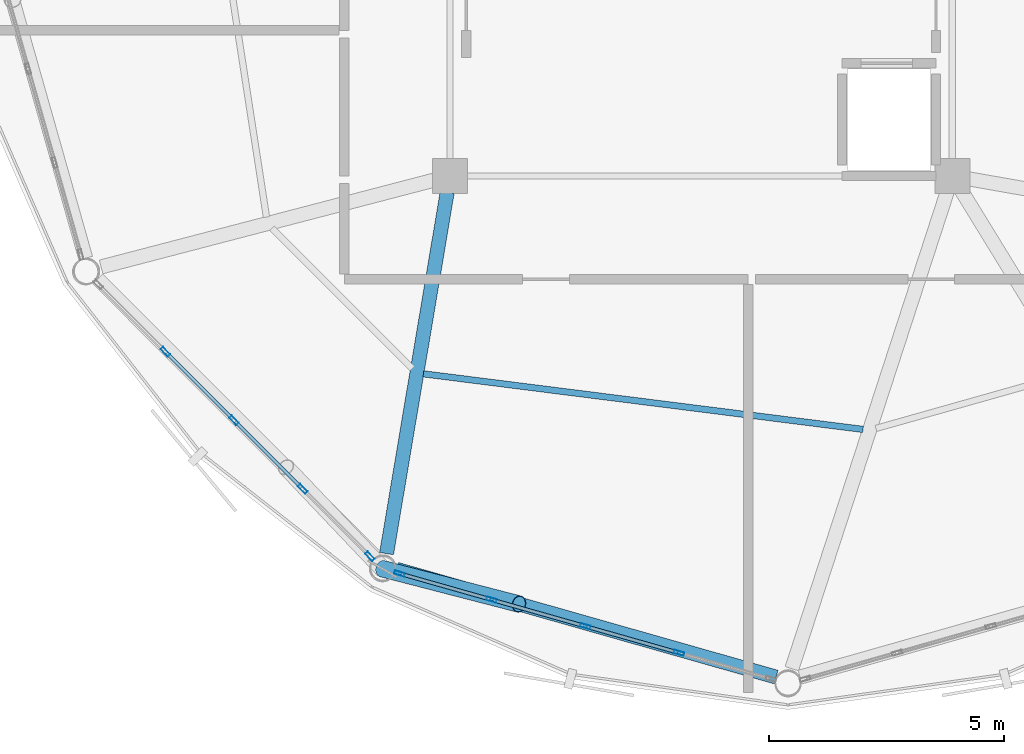
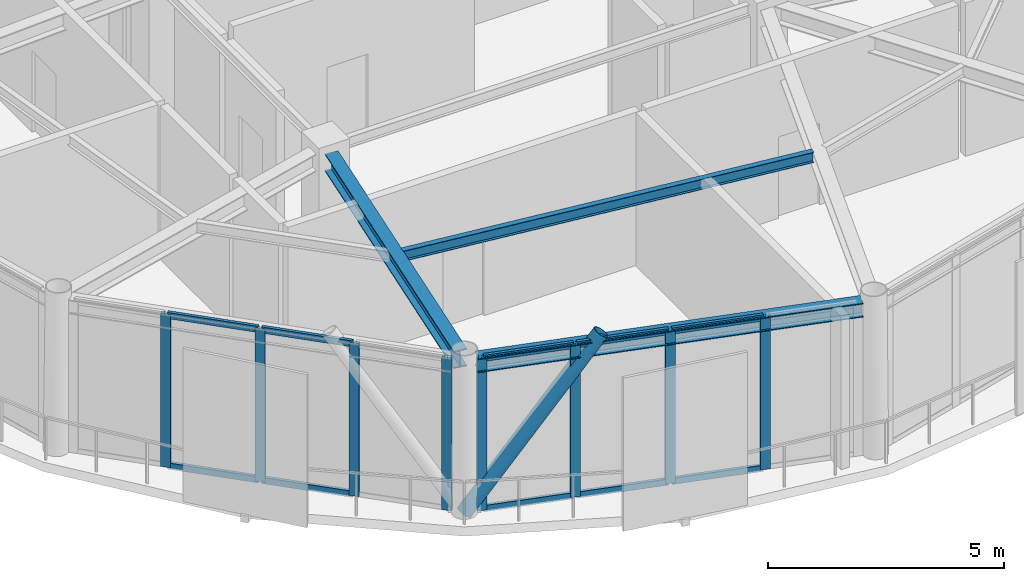
# One storey, part 2 of 20: 19 members, 3 beams, 2 elements without a shape of their own.
"""IFC4 building model written with IfcOpenShell, lengths in metres."""

import ifcopenshell
import ifcopenshell.guid

model = None  # the IFC model being written
_history = None  # IfcOwnerHistory: only IFC2X3 demands one
_inside = {}  # id of a spatial element -> (the spatial element, [elements in it])
_under = {}  # id of a project, library or spatial element -> (it, [spatial elements below it])
_declared = {}  # id of a project -> (the project, [libraries it declares])
_typed = {}  # id of a type object -> (the type object, [elements of that type])
_made_of = {}  # id of a material, layer set ... -> (it, [elements and type objects made of it])


def new_model(schema):
    """Start an empty IFC model of exactly this schema.

    Asked for "IFC4X3", IfcOpenShell would pick the latest addendum, in which some entities
    have other attributes; the version numbers below select the first issue.
    IFC2X3 requires an IfcOwnerHistory on every rooted entity: one is made here for all.
    """
    global model, _history
    if schema == "IFC4X3":
        model = ifcopenshell.file(schema_version=(4, 3, 0, 0))
    else:
        model = ifcopenshell.file(schema=schema)
    _inside.clear()
    _under.clear()
    _declared.clear()
    _typed.clear()
    _made_of.clear()
    _history = None
    if model.schema == "IFC2X3":
        org = make("IfcOrganization", Name="unknown")
        user = make(
            "IfcPersonAndOrganization",
            ThePerson=make("IfcPerson", FamilyName="unknown"),
            TheOrganization=org,
        )
        app = make(
            "IfcApplication",
            ApplicationDeveloper=org,
            Version="unknown",
            ApplicationFullName="unknown",
            ApplicationIdentifier="unknown",
        )
        _history = make(
            "IfcOwnerHistory",
            OwningUser=user,
            OwningApplication=app,
            ChangeAction="ADDED",
            CreationDate=0,
        )
    return model


def make(cls, **values):
    """One entity of the class cls with the attributes given. An attribute that is None is left unset."""
    return model.create_entity(
        cls, **{name: value for name, value in values.items() if value is not None}
    )


def rooted(cls, **values):
    """An entity with a GlobalId (a new one), such as an element, a storey or a relation."""
    return make(cls, GlobalId=ifcopenshell.guid.new(), OwnerHistory=_history, **values)


def si_unit(unit_type, name, prefix=None):
    """IfcSIUnit, for example si_unit("LENGTHUNIT", "METRE", prefix="MILLI")."""
    return make("IfcSIUnit", UnitType=unit_type, Prefix=prefix, Name=name)


def assignment(units):
    """IfcUnitAssignment: the units of a project."""
    return None if units is None else make("IfcUnitAssignment", Units=units)


def point(xyz):
    """IfcCartesianPoint."""
    return None if xyz is None else make("IfcCartesianPoint", Coordinates=xyz)


def direction(xyz):
    """IfcDirection."""
    return None if xyz is None else make("IfcDirection", DirectionRatios=xyz)


def frame(location, z_axis=None, x_axis=None):
    """IfcAxis2Placement3D, a coordinate frame: its origin and axes. An axis left out is left unset."""
    return make(
        "IfcAxis2Placement3D",
        Location=point(location),
        Axis=direction(z_axis),
        RefDirection=direction(x_axis),
    )


def frame_2d(location, x_axis=None):
    """IfcAxis2Placement2D, a coordinate frame in the plane: its origin and x axis."""
    return make(
        "IfcAxis2Placement2D", Location=point(location), RefDirection=direction(x_axis)
    )


def origin():
    """The frame at (0, 0, 0) with its axes left unset."""
    return frame((0.0, 0.0, 0.0))


def origin_2d():
    """The frame at (0, 0) in the plane with its x axis left unset."""
    return frame_2d((0.0, 0.0))


def place(relative_to, where):
    """IfcLocalPlacement: puts the frame where relative to a parent placement (None: the world)."""
    return make(
        "IfcLocalPlacement", PlacementRelTo=relative_to, RelativePlacement=where
    )


def context(
    kind, dimensions, precision=None, world=None, true_north=None, identifier=None
):
    """IfcGeometricRepresentationContext, for example the 3D "Model" context."""
    return make(
        "IfcGeometricRepresentationContext",
        ContextIdentifier=identifier,
        ContextType=kind,
        CoordinateSpaceDimension=dimensions,
        Precision=precision,
        WorldCoordinateSystem=world,
        TrueNorth=true_north,
    )


def subcontext(parent, identifier, kind, view, scale=None):
    """IfcGeometricRepresentationSubContext, for example "Body" below "Model"."""
    return make(
        "IfcGeometricRepresentationSubContext",
        ContextIdentifier=identifier,
        ContextType=kind,
        ParentContext=parent,
        TargetScale=scale,
        TargetView=view,
    )


def project(units=None, contexts=None):
    """IfcProject with its units and contexts."""
    return rooted(
        "IfcProject",
        Name="project",
        RepresentationContexts=contexts,
        UnitsInContext=assignment(units),
    )


def spatial(cls, under=None, at=None, **own):
    """A site, building, storey or space (cls), placed at a placement, below another one or the project."""
    s = rooted(cls, ObjectPlacement=at, **own)
    if under is not None:
        _under.setdefault(under.id(), (under, []))[1].append(s)
    return s


def profile(cls, at=None, kind="AREA", **sizes):
    """A parametric profile (cls). Its sizes go by their IFC names, for example OverallWidth=200.0."""
    return make(cls, ProfileType=kind, Position=at, **sizes)


def hollow_rectangle(**sizes):
    """IfcRectangleHollowProfileDef."""
    return profile("IfcRectangleHollowProfileDef", **sizes)


def hollow_circle(**sizes):
    """IfcCircleHollowProfileDef."""
    return profile("IfcCircleHollowProfileDef", **sizes)


def i_section(**sizes):
    """IfcIShapeProfileDef."""
    return profile("IfcIShapeProfileDef", **sizes)


def extrude(swept, where, along, depth):
    """IfcExtrudedAreaSolid: the profile swept, set in the frame where, extruded along a direction by depth."""
    return make(
        "IfcExtrudedAreaSolid",
        SweptArea=swept,
        Position=where,
        ExtrudedDirection=direction(along),
        Depth=depth,
    )


def shape(context_of_items, identifier, shape_type, items):
    """IfcShapeRepresentation: the items that make up one representation, for example the "Body"."""
    return make(
        "IfcShapeRepresentation",
        ContextOfItems=context_of_items,
        RepresentationIdentifier=identifier,
        RepresentationType=shape_type,
        Items=items,
    )


def material(Name=None, Category=None):
    """IfcMaterial."""
    return make("IfcMaterial", Name=Name, Category=Category)


def layer(
    of_material, thickness, ventilated=None, Name=None, Category=None, Priority=None
):
    """IfcMaterialLayer: one layer of a wall or slab, of a material (None: an air gap)."""
    return make(
        "IfcMaterialLayer",
        Material=of_material,
        LayerThickness=thickness,
        IsVentilated=ventilated,
        Name=Name,
        Category=Category,
        Priority=Priority,
    )


def layer_set(layers, Name=None):
    """IfcMaterialLayerSet."""
    return make("IfcMaterialLayerSet", MaterialLayers=layers, LayerSetName=Name)


def material_profile(
    of_material, cross_section, Name=None, Category=None, Priority=None
):
    """IfcMaterialProfile: a cross section and its material."""
    return make(
        "IfcMaterialProfile",
        Name=Name,
        Material=of_material,
        Profile=cross_section,
        Priority=Priority,
        Category=Category,
    )


def profile_set(profiles, Name=None, composite=None):
    """IfcMaterialProfileSet."""
    return make(
        "IfcMaterialProfileSet",
        Name=Name,
        MaterialProfiles=profiles,
        CompositeProfile=composite,
    )


def made_of(thing, what):
    """Note that an element or type object is made of a material, layer set ...; save() writes the relation."""
    if what is not None:
        _made_of.setdefault(what.id(), (what, []))[1].append(thing)
    return thing


def type_object(cls, material=None, **own):
    """A type object (cls), such as IfcWallType, which elements share."""
    return made_of(rooted(cls, **own), material)


def element(
    cls,
    number,
    at=None,
    inside=None,
    cuts=None,
    type_object=None,
    material=None,
    context=None,
    identifier="Body",
    shape_type=None,
    held_by="IfcProductDefinitionShape",
    body=None,
    shapes=None,
    **own,
):
    """One element of the class cls, such as IfcWall. Its Tag is "e" and its number.

    at: its placement. inside: the storey or other place that contains it. cuts: it is an
    opening in that element (IfcRelVoidsElement). A single representation is given by context,
    identifier, shape_type and body (its items); several are given by shapes. held_by: the class
    of the entity that holds the representations. save() writes the other relations.
    """
    e = rooted(cls, Tag="e%d" % number, ObjectPlacement=at, **own)
    if body is not None:
        shapes = [shape(context, identifier, shape_type, body)]
    if shapes is not None:
        e.Representation = make(held_by, Representations=shapes)
    if inside is not None:
        _inside.setdefault(inside.id(), (inside, []))[1].append(e)
    if cuts is not None:
        rooted(
            "IfcRelVoidsElement", RelatingBuildingElement=cuts, RelatedOpeningElement=e
        )
    if type_object is not None:
        _typed.setdefault(type_object.id(), (type_object, []))[1].append(e)
    return made_of(e, material)


def aggregate(whole, parts):
    """IfcRelAggregates: a whole, such as a stair, and the parts it consists of."""
    return rooted("IfcRelAggregates", RelatingObject=whole, RelatedObjects=parts)


def save(model, path):
    """Write the relations noted so far, then the file.

    IfcRelAggregates (storeys below a building ...), IfcRelContainedInSpatialStructure (elements
    in a storey), IfcRelDefinesByType, IfcRelAssociatesMaterial and IfcRelDeclares: one each for
    every whole, place, type object, material and project.
    """
    for whole, parts in _under.values():
        aggregate(whole, parts)
    for where, things in _inside.values():
        rooted(
            "IfcRelContainedInSpatialStructure",
            RelatedElements=things,
            RelatingStructure=where,
        )
    for kind, things in _typed.values():
        rooted("IfcRelDefinesByType", RelatedObjects=things, RelatingType=kind)
    for what, things in _made_of.values():
        rooted("IfcRelAssociatesMaterial", RelatedObjects=things, RelatingMaterial=what)
    for by, libraries in _declared.values():
        rooted("IfcRelDeclares", RelatingContext=by, RelatedDefinitions=libraries)
    model.write(path)


model = new_model("IFC4")

# Units and contexts
model_context = context("Model", 3, precision=1e-05, world=origin(), true_north=direction((0.0, 1.0)))
body_context = subcontext(model_context, "Body", "Model", "MODEL_VIEW")
ifc_project = project(units=[si_unit("LENGTHUNIT", "METRE"), si_unit("AREAUNIT", "SQUARE_METRE"), si_unit("VOLUMEUNIT", "CUBIC_METRE"), si_unit("PLANEANGLEUNIT", "RADIAN"), si_unit("MASSUNIT", "GRAM", prefix="KILO")], contexts=[model_context])

# Site, building, storey
site_placement = place(None, origin())
site = spatial("IfcSite", under=ifc_project, at=site_placement, CompositionType="ELEMENT")
building_placement = place(site_placement, origin())
building = spatial("IfcBuilding", under=site, at=building_placement, Name="Varnakorn Sky Granary", CompositionType="ELEMENT")
storey_placement = place(building_placement, frame((0.0, 0.0, 306.60009765625)))
storey = spatial("IfcBuildingStorey", under=building, at=storey_placement, Name="L78", CompositionType="ELEMENT", Elevation=306.60009765625)

# Beams
ifc_material_1 = material(Name="Steel S355JR", Category="steel")
ifc_material_profile_1 = material_profile(ifc_material_1, i_section(OverallWidth=0.300048828125, OverallDepth=0.449951171875, WebThickness=0.013916015625, FlangeThickness=0.02587890625, at=origin_2d()), Name="HE 450 B")
ifc_profile_set_1 = profile_set([ifc_material_profile_1], Name="Steel S355JR")
beam_type_1 = type_object("IfcBeamType", Name="BM-RAD-Z5", PredefinedType="BEAM", material=ifc_profile_set_1)
beam_1_placement = place(storey_placement, frame((-2.40869140625, -6.9501953125, 3.73486328125), z_axis=(-0.165475084133, -0.986213970967, 0.0), x_axis=(0.986213970967, -0.165475084133, 0.0)))
element("IfcBeam", 1, at=beam_1_placement, inside=storey, type_object=beam_type_1, Name="Radial Floor Girder RG09 L78", PredefinedType="BEAM", context=body_context, shape_type="SweptSolid", body=[
    extrude(i_section(OverallWidth=0.300048828125, OverallDepth=0.449951171875, WebThickness=0.013916015625, FlangeThickness=0.02587890625, at=origin_2d()), origin(), (0.0, 0.0, 1.0), 7.798828125),
])
ifc_material_profile_2 = material_profile(ifc_material_1, i_section(OverallWidth=0.135009765625, OverallDepth=0.27001953125, WebThickness=0.006591796875, FlangeThickness=0.01025390625, at=origin_2d()), Name="IPE 270")
ifc_profile_set_2 = profile_set([ifc_material_profile_2], Name="Steel S355JR")
beam_type_2 = type_object("IfcBeamType", Name="BM-SEC-Z5", PredefinedType="BEAM", material=ifc_profile_set_2)
beam_2_placement = place(storey_placement, frame((-2.9150390625, -10.8134765625, 3.824951171875), z_axis=(0.992106182505, -0.125400648463, 0.0), x_axis=(0.125400648463, 0.992106182505, 0.0)))
element("IfcBeam", 2, at=beam_2_placement, inside=storey, type_object=beam_type_2, Name="Secondary Floor Chord Beam MSB09 L78", PredefinedType="BEAM", context=body_context, shape_type="SweptSolid", body=[
    extrude(i_section(OverallWidth=0.135009765625, OverallDepth=0.27001953125, WebThickness=0.006591796875, FlangeThickness=0.01025390625, at=origin_2d()), origin(), (0.0, 0.0, 1.0), 9.4365234375),
])
ifc_material_profile_3 = material_profile(ifc_material_1, i_section(OverallWidth=0.300048828125, OverallDepth=0.360107421875, WebThickness=0.012451171875, FlangeThickness=0.0224609375, at=origin_2d()), Name="HE 360 B")
ifc_profile_set_3 = profile_set([ifc_material_profile_3], Name="Steel S355JR")
beam_type_3 = type_object("IfcBeamType", Name="BM-SPD-Z5", PredefinedType="SPANDREL", material=ifc_profile_set_3)
beam_3_placement = place(storey_placement, frame((-3.488525390625, -14.974853515625, 3.77978515625), z_axis=(0.961959045072, -0.273193696127, 0.0), x_axis=(0.273193696127, 0.961959045072, 0.0)))
element("IfcBeam", 3, at=beam_3_placement, inside=storey, type_object=beam_type_3, Name="Perimeter Spandrel Ring Beam RB09 L78", PredefinedType="SPANDREL", context=body_context, shape_type="SweptSolid", body=[
    extrude(i_section(OverallWidth=0.300048828125, OverallDepth=0.360107421875, WebThickness=0.012451171875, FlangeThickness=0.0224609375, at=origin_2d()), origin(), (0.0, 0.0, 1.0), 8.40380859375),
])

# Curtain wall, members
ifc_material_2 = material(Name="Anodised Bronze Aluminium Alloy 6063-T6", Category="aluminium")
ifc_layer = layer(ifc_material_2, 0.22998046875, Name="Anodised Bronze Aluminium Alloy 6063-T6")
ifc_layer_set = layer_set([ifc_layer], Name="Anodised Bronze Aluminium Alloy 6063-T6")
curtain_wall_type = type_object("IfcCurtainWallType", Name="CW-LNT-1", PredefinedType="USERDEFINED", material=ifc_layer_set)
curtain_wall_1_placement = place(storey_placement, origin())
curtain_wall_1 = element("IfcCurtainWall", 4, at=curtain_wall_1_placement, inside=storey, type_object=curtain_wall_type, Name="Unitised Curtain Wall CW7 CW-L78-B08", ObjectType="CURTAIN WALL", PredefinedType="USERDEFINED")
ifc_material_profile_4 = material_profile(ifc_material_2, hollow_rectangle(XDim=0.074951171875, YDim=0.219970703125, WallThickness=0.00390625, at=origin_2d()), Name="ALU MULL 75x220")
ifc_profile_set_4 = profile_set([ifc_material_profile_4], Name="Anodised Bronze Aluminium Alloy 6063-T6")
member_type_1 = type_object("IfcMemberType", Name="CW-LNT-1-MULL", PredefinedType="MULLION", material=ifc_profile_set_4)
member_1_placement = place(storey_placement, frame((-4.052490234375, -14.697509765625, 0.0), z_axis=(0.0, 0.0, 1.0), x_axis=(-0.707251982619, -0.706961549932, 0.0)))
member_1 = element("IfcMember", 5, at=member_1_placement, type_object=member_type_1, Name="CW7 mullion 1", PredefinedType="MULLION", context=body_context, shape_type="SweptSolid", body=[
    extrude(hollow_rectangle(XDim=0.074951171875, YDim=0.219970703125, WallThickness=0.00390625, at=origin_2d()), origin(), (0.0, 0.0, 1.0), 3.9599609375),
])
member_2_placement = place(storey_placement, frame((-5.486572265625, -13.262939453125, 0.0), z_axis=(0.0, 0.0, 1.0), x_axis=(-0.707251982619, -0.706961549932, 0.0)))
member_2 = element("IfcMember", 6, at=member_2_placement, type_object=member_type_1, Name="CW7 mullion 2", PredefinedType="MULLION", context=body_context, shape_type="SweptSolid", body=[
    extrude(hollow_rectangle(XDim=0.074951171875, YDim=0.219970703125, WallThickness=0.00390625, at=origin_2d()), origin(), (0.0, 0.0, 1.0), 3.9599609375),
])
member_3_placement = place(storey_placement, frame((-6.947021484375, -11.8017578125, 0.0), z_axis=(0.0, 0.0, 1.0), x_axis=(-0.707251982619, -0.706961549932, 0.0)))
member_3 = element("IfcMember", 7, at=member_3_placement, type_object=member_type_1, Name="CW7 mullion 3", PredefinedType="MULLION", context=body_context, shape_type="SweptSolid", body=[
    extrude(hollow_rectangle(XDim=0.074951171875, YDim=0.219970703125, WallThickness=0.00390625, at=origin_2d()), origin(), (0.0, 0.0, 1.0), 3.9599609375),
])
member_4_placement = place(storey_placement, frame((-8.407470703125, -10.3408203125, 0.0), z_axis=(0.0, 0.0, 1.0), x_axis=(-0.707251982619, -0.706961549932, 0.0)))
member_4 = element("IfcMember", 8, at=member_4_placement, type_object=member_type_1, Name="CW7 mullion 4", PredefinedType="MULLION", context=body_context, shape_type="SweptSolid", body=[
    extrude(hollow_rectangle(XDim=0.074951171875, YDim=0.219970703125, WallThickness=0.00390625, at=origin_2d()), origin(), (0.0, 0.0, 1.0), 3.9599609375),
])

curtain_wall_2_placement = place(storey_placement, origin())
curtain_wall_2 = element("IfcCurtainWall", 9, at=curtain_wall_2_placement, inside=storey, type_object=curtain_wall_type, Name="Unitised Curtain Wall CW7 CW-L78-B09", ObjectType="CURTAIN WALL", PredefinedType="USERDEFINED")
member_5_placement = place(storey_placement, frame((2.527587890625, -16.755126953125, 0.0), z_axis=(0.0, 0.0, 1.0), x_axis=(-0.272904510897, -0.962041125905, 0.0)))
member_5 = element("IfcMember", 10, at=member_5_placement, type_object=member_type_1, Name="CW7 mullion 2", PredefinedType="MULLION", context=body_context, shape_type="SweptSolid", body=[
    extrude(hollow_rectangle(XDim=0.074951171875, YDim=0.219970703125, WallThickness=0.00390625, at=origin_2d()), origin(), (0.0, 0.0, 1.0), 3.9599609375),
])
member_6_placement = place(storey_placement, frame((0.531982421875, -16.18896484375, 0.0), z_axis=(0.0, 0.0, 1.0), x_axis=(-0.272904510897, -0.962041125905, 0.0)))
member_6 = element("IfcMember", 11, at=member_6_placement, type_object=member_type_1, Name="CW7 mullion 3", PredefinedType="MULLION", context=body_context, shape_type="SweptSolid", body=[
    extrude(hollow_rectangle(XDim=0.074951171875, YDim=0.219970703125, WallThickness=0.00390625, at=origin_2d()), origin(), (0.0, 0.0, 1.0), 3.9599609375),
])
member_7_placement = place(storey_placement, frame((-1.463623046875, -15.623046875, 0.0), z_axis=(0.0, 0.0, 1.0), x_axis=(-0.272904510897, -0.962041125905, 0.0)))
member_7 = element("IfcMember", 12, at=member_7_placement, type_object=member_type_1, Name="CW7 mullion 4", PredefinedType="MULLION", context=body_context, shape_type="SweptSolid", body=[
    extrude(hollow_rectangle(XDim=0.074951171875, YDim=0.219970703125, WallThickness=0.00390625, at=origin_2d()), origin(), (0.0, 0.0, 1.0), 3.9599609375),
])
member_8_placement = place(storey_placement, frame((-3.42333984375, -15.067138671875, 0.0), z_axis=(0.0, 0.0, 1.0), x_axis=(-0.272904510897, -0.962041125905, 0.0)))
member_8 = element("IfcMember", 13, at=member_8_placement, type_object=member_type_1, Name="CW7 mullion 5", PredefinedType="MULLION", context=body_context, shape_type="SweptSolid", body=[
    extrude(hollow_rectangle(XDim=0.074951171875, YDim=0.219970703125, WallThickness=0.00390625, at=origin_2d()), origin(), (0.0, 0.0, 1.0), 3.9599609375),
])

# Member
ifc_material_profile_5 = material_profile(ifc_material_2, hollow_rectangle(XDim=0.074951171875, YDim=0.159912109375, WallThickness=0.00390625, at=origin_2d()), Name="ALU TRAN 75x160")
ifc_profile_set_5 = profile_set([ifc_material_profile_5], Name="Anodised Bronze Aluminium Alloy 6063-T6")
member_type_2 = type_object("IfcMemberType", Name="CW-LNT-1-TRAN", PredefinedType="USERDEFINED", material=ifc_profile_set_5)
member_9_placement = place(storey_placement, frame((-5.512939453125, -13.236328125, 0.037353515625), z_axis=(-0.706984136704, 0.707229404401, 0.0), x_axis=(-0.707229404401, -0.706984136704, 0.0)))
member_9 = element("IfcMember", 14, at=member_9_placement, type_object=member_type_2, Name="CW7 transom 2.1", ObjectType="TRANSOM", PredefinedType="USERDEFINED", context=body_context, shape_type="SweptSolid", body=[
    extrude(hollow_rectangle(XDim=0.074951171875, YDim=0.159912109375, WallThickness=0.00390625, at=origin_2d()), origin(), (0.0, 0.0, 1.0), 1.99072265625),
])

member_10_placement = place(storey_placement, frame((-5.512939453125, -13.236328125, 3.92236328125), z_axis=(-0.706984136704, 0.707229404401, 0.0), x_axis=(-0.707229404401, -0.706984136704, 0.0)))
member_10 = element("IfcMember", 15, at=member_10_placement, type_object=member_type_2, Name="CW7 transom 2.2", ObjectType="TRANSOM", PredefinedType="USERDEFINED", context=body_context, shape_type="SweptSolid", body=[
    extrude(hollow_rectangle(XDim=0.074951171875, YDim=0.159912109375, WallThickness=0.00390625, at=origin_2d()), origin(), (0.0, 0.0, 1.0), 1.99072265625),
])

member_11_placement = place(storey_placement, frame((-6.9736328125, -11.775390625, 0.037353515625), z_axis=(-0.706922822444, 0.707290692083, 0.0), x_axis=(-0.707290692083, -0.706922822444, 0.0)))
member_11 = element("IfcMember", 16, at=member_11_placement, type_object=member_type_2, Name="CW7 transom 3.1", ObjectType="TRANSOM", PredefinedType="USERDEFINED", context=body_context, shape_type="SweptSolid", body=[
    extrude(hollow_rectangle(XDim=0.074951171875, YDim=0.159912109375, WallThickness=0.00390625, at=origin_2d()), origin(), (0.0, 0.0, 1.0), 1.990966796875),
])

member_12_placement = place(storey_placement, frame((-6.9736328125, -11.775390625, 3.92236328125), z_axis=(-0.706922822444, 0.707290692083, 0.0), x_axis=(-0.707290692083, -0.706922822444, 0.0)))
member_12 = element("IfcMember", 17, at=member_12_placement, type_object=member_type_2, Name="CW7 transom 3.2", ObjectType="TRANSOM", PredefinedType="USERDEFINED", context=body_context, shape_type="SweptSolid", body=[
    extrude(hollow_rectangle(XDim=0.074951171875, YDim=0.159912109375, WallThickness=0.00390625, at=origin_2d()), origin(), (0.0, 0.0, 1.0), 1.990966796875),
])

aggregate(curtain_wall_1, [member_1, member_2, member_3, member_4, member_9, member_10, member_11, member_12])

member_13_placement = place(storey_placement, frame((2.49169921875, -16.744873046875, 0.037353515625), z_axis=(-0.962042882798, 0.272898317433, 0.0), x_axis=(-0.272898317433, -0.962042882798, 0.0)))
member_13 = element("IfcMember", 18, at=member_13_placement, type_object=member_type_2, Name="CW7 transom 2.1", ObjectType="TRANSOM", PredefinedType="USERDEFINED", context=body_context, shape_type="SweptSolid", body=[
    extrude(hollow_rectangle(XDim=0.074951171875, YDim=0.159912109375, WallThickness=0.00390625, at=origin_2d()), origin(), (0.0, 0.0, 1.0), 1.99951171875),
])

member_14_placement = place(storey_placement, frame((2.49169921875, -16.744873046875, 3.92236328125), z_axis=(-0.962042882798, 0.272898317433, 0.0), x_axis=(-0.272898317433, -0.962042882798, 0.0)))
member_14 = element("IfcMember", 19, at=member_14_placement, type_object=member_type_2, Name="CW7 transom 2.2", ObjectType="TRANSOM", PredefinedType="USERDEFINED", context=body_context, shape_type="SweptSolid", body=[
    extrude(hollow_rectangle(XDim=0.074951171875, YDim=0.159912109375, WallThickness=0.00390625, at=origin_2d()), origin(), (0.0, 0.0, 1.0), 1.99951171875),
])

member_15_placement = place(storey_placement, frame((0.495849609375, -16.1787109375, 0.037353515625), z_axis=(-0.962042882798, 0.272898317433, 0.0), x_axis=(-0.272898317433, -0.962042882798, 0.0)))
member_15 = element("IfcMember", 20, at=member_15_placement, type_object=member_type_2, Name="CW7 transom 3.1", ObjectType="TRANSOM", PredefinedType="USERDEFINED", context=body_context, shape_type="SweptSolid", body=[
    extrude(hollow_rectangle(XDim=0.074951171875, YDim=0.159912109375, WallThickness=0.00390625, at=origin_2d()), origin(), (0.0, 0.0, 1.0), 1.99951171875),
])

member_16_placement = place(storey_placement, frame((0.495849609375, -16.1787109375, 3.92236328125), z_axis=(-0.962042882798, 0.272898317433, 0.0), x_axis=(-0.272898317433, -0.962042882798, 0.0)))
member_16 = element("IfcMember", 21, at=member_16_placement, type_object=member_type_2, Name="CW7 transom 3.2", ObjectType="TRANSOM", PredefinedType="USERDEFINED", context=body_context, shape_type="SweptSolid", body=[
    extrude(hollow_rectangle(XDim=0.074951171875, YDim=0.159912109375, WallThickness=0.00390625, at=origin_2d()), origin(), (0.0, 0.0, 1.0), 1.99951171875),
])

member_17_placement = place(storey_placement, frame((-1.499755859375, -15.61279296875, 0.037353515625), z_axis=(-0.962010779064, 0.273011466727, 0.0), x_axis=(-0.273011466727, -0.962010779064, 0.0)))
member_17 = element("IfcMember", 22, at=member_17_placement, type_object=member_type_2, Name="CW7 transom 4.1", ObjectType="TRANSOM", PredefinedType="USERDEFINED", context=body_context, shape_type="SweptSolid", body=[
    extrude(hollow_rectangle(XDim=0.074951171875, YDim=0.159912109375, WallThickness=0.00390625, at=origin_2d()), origin(), (0.0, 0.0, 1.0), 1.9619140625),
])

member_18_placement = place(storey_placement, frame((-1.499755859375, -15.61279296875, 3.92236328125), z_axis=(-0.962010779064, 0.273011466727, 0.0), x_axis=(-0.273011466727, -0.962010779064, 0.0)))
member_18 = element("IfcMember", 23, at=member_18_placement, type_object=member_type_2, Name="CW7 transom 4.2", ObjectType="TRANSOM", PredefinedType="USERDEFINED", context=body_context, shape_type="SweptSolid", body=[
    extrude(hollow_rectangle(XDim=0.074951171875, YDim=0.159912109375, WallThickness=0.00390625, at=origin_2d()), origin(), (0.0, 0.0, 1.0), 1.9619140625),
])

aggregate(curtain_wall_2, [member_5, member_6, member_7, member_8, member_13, member_14, member_15, member_16, member_17, member_18])

ifc_material_3 = material(Name="Steel S460M", Category="steel")
ifc_material_profile_6 = material_profile(ifc_material_3, hollow_circle(Radius=0.177734375, WallThickness=0.01416015625, at=origin_2d()), Name="CHS 355.6x14")
ifc_profile_set_6 = profile_set([ifc_material_profile_6], Name="Steel S460M")
member_type_3 = type_object("IfcMemberType", Name="MB-DIAG-T5", PredefinedType="BRACE", material=ifc_profile_set_6)
member_19_placement = place(storey_placement, frame((-3.785888671875, -14.964111328125, 0.0), z_axis=(0.572979382092, -0.148200915086, 0.806059003091), x_axis=(0.250409099369, 0.968140115352, 0.0)))
element("IfcMember", 24, at=member_19_placement, inside=storey, type_object=member_type_3, Name="Perimeter CHS Diagrid Brace DG09 L78", PredefinedType="BRACE", context=body_context, shape_type="SweptSolid", body=[
    extrude(hollow_circle(Radius=0.177734375, WallThickness=0.01416015625, at=origin_2d()), origin(), (0.0, 0.0, 1.0), 5.073974609375),
])

save(model, "model.ifc")
